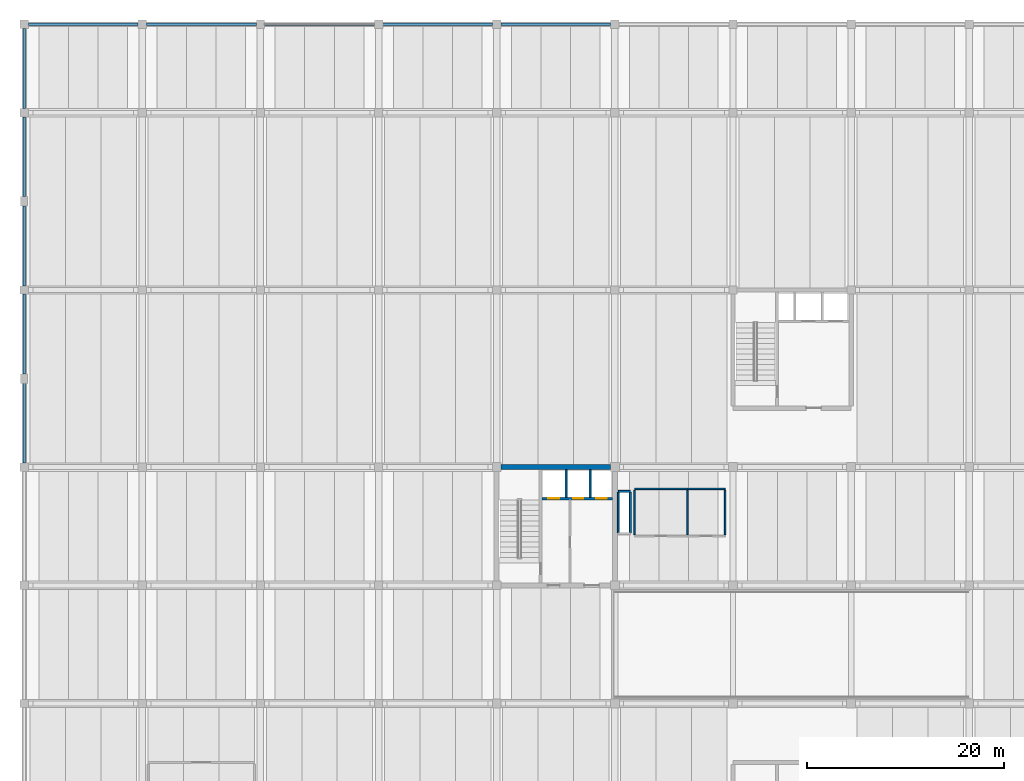
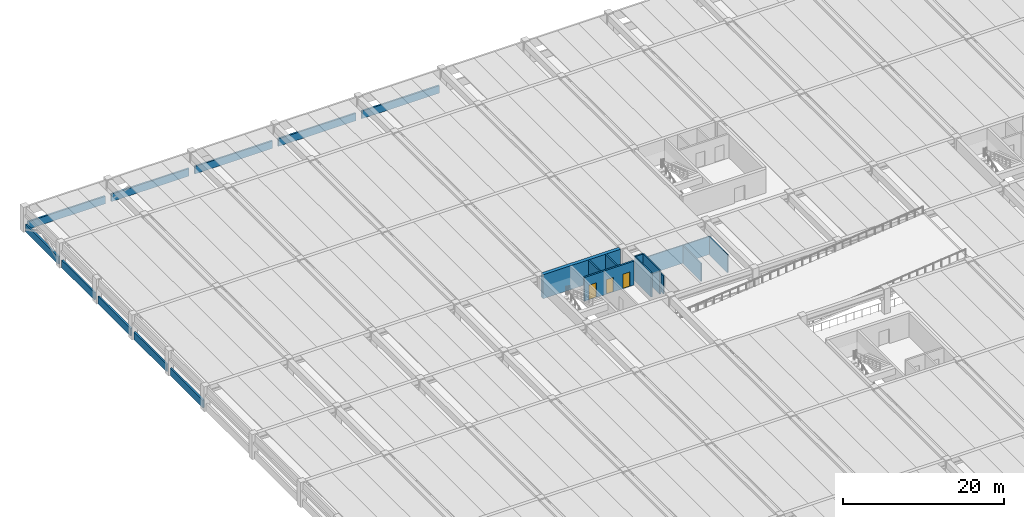
# One storey, part 10 of 19: 22 walls, 3 doors, 3 openings.
"""IFC4 building model written with IfcOpenShell, lengths in metres."""

from ifc_helpers import new_model, si_unit, direction, frame, frame_2d, origin, place, context, subcontext, project, spatial, rectangle, extrude, material, layer, layer_set, type_object, element, fill, save


model = new_model("IFC4")

# Units and contexts
model_context = context("Model", 3, precision=1e-05, world=origin(), true_north=direction((0.0, 1.0)))
body_context = subcontext(model_context, "Body", "Model", "MODEL_VIEW")
ifc_project = project(units=[si_unit("LENGTHUNIT", "METRE"), si_unit("AREAUNIT", "SQUARE_METRE"), si_unit("VOLUMEUNIT", "CUBIC_METRE"), si_unit("PLANEANGLEUNIT", "RADIAN"), si_unit("MASSUNIT", "GRAM", prefix="KILO")], contexts=[model_context])

# Site, building, storey
site_placement = place(None, origin())
site = spatial("IfcSite", under=ifc_project, at=site_placement, CompositionType="ELEMENT")
building_placement = place(site_placement, origin())
building = spatial("IfcBuilding", under=site, at=building_placement, Name="Girod Span Mobility Hub", CompositionType="ELEMENT")
storey_placement = place(building_placement, frame((0.0, 0.0, 9.60009765625)))
storey = spatial("IfcBuildingStorey", under=building, at=storey_placement, Name="L02", CompositionType="ELEMENT", Elevation=9.60009765625)

# Walls
ifc_material_1 = material(Name="Concrete C40/50", Category="concrete")
ifc_layer_1 = layer(ifc_material_1, 0.5)
ifc_layer_set_1 = layer_set([ifc_layer_1], Name="Concrete C40/50")
wall_type_1 = type_object("IfcWallType", Name="W-CW-500", PredefinedType="SHEAR", material=ifc_layer_set_1)
wall_1_placement = place(storey_placement, frame((48.447021484375, 69.0, 0.0), z_axis=(0.0, 0.0, 1.0), x_axis=(1.0, 0.0, 0.0)))
element("IfcWall", 1, at=wall_1_placement, inside=storey, type_object=wall_type_1, Name="Core C1 Shear Wall N L02", PredefinedType="SHEAR", context=body_context, shape_type="SweptSolid", body=[
    extrude(rectangle(XDim=11.10595703125, YDim=0.5, at=frame_2d((5.552978515625, 0.0))), origin(), (0.0, 0.0, 1.0), 3.637939453125),
])
ifc_material_2 = material(Name="Precast Architectural Concrete C40/50", Category="concrete")
ifc_layer_2 = layer(ifc_material_2, 0.239990234375)
ifc_layer_set_2 = layer_set([ifc_layer_2], Name="Precast Architectural Concrete C40/50")
wall_type_2 = type_object("IfcWallType", Name="W-PAR-240", PredefinedType="PARAPET", material=ifc_layer_set_2)
for number, where, z_axis, x_axis, name in (
    (2, (0.423095703125, 114.0, 0.0), (0.0, 0.0, 1.0), (1.0, 0.0, 0.0), "Precast Parking Barrier Parapet N-1 L02"),
    (3, (12.423095703125, 114.0, 0.0), (0.0, 0.0, 1.0), (1.0, 0.0, 0.0), "Precast Parking Barrier Parapet N-2 L02"),
    (4, (24.423095703125, 114.0, 0.0), (0.0, 0.0, 1.0), (1.0, 0.0, 0.0), "Precast Parking Barrier Parapet N-3 L02"),
    (5, (36.423095703125, 114.0, 0.0), (0.0, 0.0, 1.0), (1.0, 0.0, 0.0), "Precast Parking Barrier Parapet N-4 L02"),
    (6, (48.423095703125, 114.0, 0.0), (0.0, 0.0, 1.0), (1.0, 0.0, 0.0), "Precast Parking Barrier Parapet N-5 L02"),
):
    element("IfcWall", number, at=place(storey_placement, frame(where, z_axis=z_axis, x_axis=x_axis)), inside=storey, type_object=wall_type_2, Name=name, PredefinedType="PARAPET", context=body_context, shape_type="SweptSolid", body=[
        extrude(rectangle(XDim=11.15380859375, YDim=0.239990234375, at=frame_2d((5.576904296875, 0.0))), origin(), (0.0, 0.0, 1.0), 1.14990234375),
    ])
for number, where, z_axis, x_axis, name in (
    (7, (0.0, 69.423095703125, 0.0), (0.0, 0.0, 1.0), (0.0, 1.0, 0.0), "Precast Side Barrier Parapet W-F-1 L02"),
    (8, (0.0, 78.472900390625, 0.0), (0.0, 0.0, 1.0), (0.0, 1.0, 0.0), "Precast Side Barrier Parapet W-F-2 L02"),
    (9, (0.0, 87.423095703125, 0.0), (0.0, 0.0, 1.0), (0.0, 1.0, 0.0), "Precast Side Barrier Parapet W-G-1 L02"),
    (10, (0.0, 96.472900390625, 0.0), (0.0, 0.0, 1.0), (0.0, 1.0, 0.0), "Precast Side Barrier Parapet W-G-2 L02"),
):
    element("IfcWall", number, at=place(storey_placement, frame(where, z_axis=z_axis, x_axis=x_axis)), inside=storey, type_object=wall_type_2, Name=name, PredefinedType="PARAPET", context=body_context, shape_type="SweptSolid", body=[
        extrude(rectangle(XDim=8.10400390625, YDim=0.239990234375, at=frame_2d((4.052001953125, 0.0))), origin(), (0.0, 0.0, 1.0), 1.14990234375),
    ])
wall_2_placement = place(storey_placement, frame((0.0, 105.423095703125, 0.0), z_axis=(0.0, 0.0, 1.0), x_axis=(0.0, 1.0, 0.0)))
element("IfcWall", 11, at=wall_2_placement, inside=storey, type_object=wall_type_2, Name="Precast Side Barrier Parapet W-H-1 L02", PredefinedType="PARAPET", context=body_context, shape_type="SweptSolid", body=[
    extrude(rectangle(XDim=8.15380859375, YDim=0.239990234375, at=frame_2d((4.076904296875, 0.0))), origin(), (0.0, 0.0, 1.0), 1.14990234375),
])
ifc_material_3 = material(Name="Fire-Rated Gypsum Board on Metal Studs", Category="gypsum")
ifc_layer_3 = layer(ifc_material_3, 0.155029296875)
ifc_layer_set_3 = layer_set([ifc_layer_3], Name="Fire-Rated Gypsum Board on Metal Studs")
wall_type_3 = type_object("IfcWallType", Name="W-PLB-155", PredefinedType="PLUMBINGWALL", material=ifc_layer_set_3)
wall_3_placement = place(storey_placement, frame((62.0, 66.800048828125, 0.0), z_axis=(0.0, 0.0, 1.0), x_axis=(1.0, 0.0, 0.0)))
element("IfcWall", 12, at=wall_3_placement, inside=storey, type_object=wall_type_3, Name="Restroom L02 Partition N", PredefinedType="PLUMBINGWALL", context=body_context, shape_type="SweptSolid", body=[
    extrude(rectangle(XDim=5.39990234375, YDim=0.155029296875, at=frame_2d((2.699951171875, 0.0))), origin(), (0.0, 0.0, 1.0), 2.75),
])
for number, where, z_axis, x_axis, name in (
    (13, (62.0, 62.159912109375, 0.0), (0.0, 0.0, 1.0), (0.0, 1.0, 0.0), "Restroom L02 Partition W"),
    (14, (67.39990234375, 62.159912109375, 0.0), (0.0, 0.0, 1.0), (0.0, 1.0, 0.0), "Restroom L02 Partition E"),
):
    element("IfcWall", number, at=place(storey_placement, frame(where, z_axis=z_axis, x_axis=x_axis)), inside=storey, type_object=wall_type_3, Name=name, PredefinedType="PLUMBINGWALL", context=body_context, shape_type="SweptSolid", body=[
        extrude(rectangle(XDim=4.47998046875, YDim=0.155029296875, at=frame_2d((2.239990234375, 0.0))), origin(), (0.0, 0.0, 1.0), 2.75),
    ])
wall_4_placement = place(storey_placement, frame((67.39990234375, 66.800048828125, 0.0), z_axis=(0.0, 0.0, 1.0), x_axis=(1.0, 0.0, 0.0)))
element("IfcWall", 15, at=wall_4_placement, inside=storey, type_object=wall_type_3, Name="Accessible WC L02 Partition N", PredefinedType="PLUMBINGWALL", context=body_context, shape_type="SweptSolid", body=[
    extrude(rectangle(XDim=3.800048828125, YDim=0.155029296875, at=frame_2d((1.89990234375, 0.0))), origin(), (0.0, 0.0, 1.0), 2.75),
])
wall_5_placement = place(storey_placement, frame((71.199951171875, 62.159912109375, 0.0), z_axis=(0.0, 0.0, 1.0), x_axis=(0.0, 1.0, 0.0)))
element("IfcWall", 16, at=wall_5_placement, inside=storey, type_object=wall_type_3, Name="Accessible WC L02 Partition E", PredefinedType="PLUMBINGWALL", context=body_context, shape_type="SweptSolid", body=[
    extrude(rectangle(XDim=4.47998046875, YDim=0.155029296875, at=frame_2d((2.239990234375, 0.0))), origin(), (0.0, 0.0, 1.0), 2.75),
])
ifc_material_4 = material(Name="Concrete C40/50", Category="concrete")
ifc_layer_4 = layer(ifc_material_4, 0.199951171875)
ifc_layer_set_4 = layer_set([ifc_layer_4], Name="Concrete C40/50")
wall_type_4 = type_object("IfcWallType", Name="W-SH-200", PredefinedType="SOLIDWALL", material=ifc_layer_set_4)
wall_6_placement = place(storey_placement, frame((60.346923828125, 66.550048828125, 0.0), z_axis=(0.0, 0.0, 1.0), x_axis=(1.0, 0.0, 0.0)))
element("IfcWall", 17, at=wall_6_placement, inside=storey, type_object=wall_type_4, Name="Sanitary Wet Riser Shaft Wall N L02", PredefinedType="SOLIDWALL", context=body_context, shape_type="SweptSolid", body=[
    extrude(rectangle(XDim=1.233154296875, YDim=0.199951171875, at=frame_2d((0.61669921875, 0.0))), origin(), (0.0, 0.0, 1.0), 3.637939453125),
])
for number, where, z_axis, x_axis, name in (
    (18, (60.346923828125, 62.330078125, 0.0), (0.0, 0.0, 1.0), (0.0, 1.0, 0.0), "Sanitary Wet Riser Shaft Wall W L02"),
    (19, (61.580078125, 62.330078125, 0.0), (0.0, 0.0, 1.0), (0.0, 1.0, 0.0), "Sanitary Wet Riser Shaft Wall E L02"),
):
    element("IfcWall", number, at=place(storey_placement, frame(where, z_axis=z_axis, x_axis=x_axis)), inside=storey, type_object=wall_type_4, Name=name, PredefinedType="SOLIDWALL", context=body_context, shape_type="SweptSolid", body=[
        extrude(rectangle(XDim=4.139892578125, YDim=0.199951171875, at=frame_2d((2.06982421875, 0.0))), origin(), (0.0, 0.0, 1.0), 3.637939453125),
    ])
for number, where, z_axis, x_axis, name in (
    (20, (55.050048828125, 65.919921875, 0.0), (0.0, 0.0, 1.0), (0.0, 1.0, 0.0), "Core C1 Shaft Divider 1 L02"),
    (21, (57.47998046875, 65.919921875, 0.0), (0.0, 0.0, 1.0), (0.0, 1.0, 0.0), "Core C1 Shaft Divider 2 L02"),
):
    element("IfcWall", number, at=place(storey_placement, frame(where, z_axis=z_axis, x_axis=x_axis)), inside=storey, type_object=wall_type_4, Name=name, PredefinedType="SOLIDWALL", context=body_context, shape_type="SweptSolid", body=[
        extrude(rectangle(XDim=2.830078125, YDim=0.199951171875, at=frame_2d((1.4150390625, 0.0))), origin(), (0.0, 0.0, 1.0), 3.6279296875),
    ])

# Wall, openings, doors
ifc_material_5 = material(Name="Concrete C40/50", Category="concrete")
ifc_layer_5 = layer(ifc_material_5, 0.25)
ifc_layer_set_5 = layer_set([ifc_layer_5], Name="Concrete C40/50")
wall_type_5 = type_object("IfcWallType", Name="W-SH-250", PredefinedType="SOLIDWALL", material=ifc_layer_set_5)
wall_7_placement = place(storey_placement, frame((52.596923828125, 65.800048828125, 0.0), z_axis=(0.0, 0.0, 1.0), x_axis=(1.0, 0.0, 0.0)))
wall_7 = element("IfcWall", 22, at=wall_7_placement, inside=storey, type_object=wall_type_5, Name="Core C1 Hoistway Front Wall L02", PredefinedType="SOLIDWALL", context=body_context, shape_type="SweptSolid", body=[
    extrude(rectangle(XDim=7.156005859375, YDim=0.25, at=frame_2d((3.578125, 0.0))), origin(), (0.0, 0.0, 1.0), 3.637939453125),
])
opening_1_placement = place(wall_7_placement, frame((0.653076171875, 0.0, 0.0)))
opening_1 = element("IfcOpeningElement", 23, at=opening_1_placement, cuts=wall_7, Name="Opening LD-FL-1-L02", PredefinedType="OPENING", context=body_context, shape_type="SweptSolid", body=[
    extrude(rectangle(XDim=1.10009765625, YDim=2.239990234375, at=frame_2d((0.550048828125, 1.1201171875))), frame((0.0, 0.139892578125, 0.0), z_axis=(0.0, -1.0, 0.0), x_axis=(1.0, 0.0, 0.0)), (0.0, 0.0, 1.0), 0.280029296875),
])
opening_2_placement = place(wall_7_placement, frame((3.153076171875, 0.0, 0.0)))
opening_2 = element("IfcOpeningElement", 24, at=opening_2_placement, cuts=wall_7, Name="Opening LD-LP-1-L02", PredefinedType="OPENING", context=body_context, shape_type="SweptSolid", body=[
    extrude(rectangle(XDim=1.050048828125, YDim=2.199951171875, at=frame_2d((0.52490234375, 1.10009765625))), frame((0.0, 0.139892578125, 0.0), z_axis=(0.0, -1.0, 0.0), x_axis=(1.0, 0.0, 0.0)), (0.0, 0.0, 1.0), 0.280029296875),
])
opening_3_placement = place(wall_7_placement, frame((5.528076171875, 0.0, 0.0)))
opening_3 = element("IfcOpeningElement", 25, at=opening_3_placement, cuts=wall_7, Name="Opening LD-LP-2-L02", PredefinedType="OPENING", context=body_context, shape_type="SweptSolid", body=[
    extrude(rectangle(XDim=1.050048828125, YDim=2.199951171875, at=frame_2d((0.52490234375, 1.10009765625))), frame((0.0, 0.139892578125, 0.0), z_axis=(0.0, -1.0, 0.0), x_axis=(1.0, 0.0, 0.0)), (0.0, 0.0, 1.0), 0.280029296875),
])
ifc_material_6 = material(Name="Brushed Stainless Steel Grade 304", Category="steel")
door_type_1 = type_object("IfcDoorType", Name="LD-FL-110", OperationType="SLIDING_TO_LEFT", PredefinedType="USERDEFINED", material=ifc_material_6)
door_1_placement = place(opening_1_placement, origin())
door_1 = element("IfcDoor", 26, at=door_1_placement, inside=storey, type_object=door_type_1, Name="Lift FL-1 Sliding Landing Door L02", ObjectType="LANDING DOOR", OperationType="SLIDING_TO_LEFT", OverallHeight=2.239990234375, OverallWidth=1.10009765625, PredefinedType="USERDEFINED", context=body_context, shape_type="SweptSolid", body=[
    extrude(rectangle(XDim=1.10009765625, YDim=2.239990234375, at=frame_2d((0.550048828125, 1.1201171875))), frame((0.0, 0.02490234375, 0.0), z_axis=(0.0, -1.0, 0.0), x_axis=(1.0, 0.0, 0.0)), (0.0, 0.0, 1.0), 0.050048828125),
])
fill(opening_1, door_1)
ifc_material_7 = material(Name="Brushed Stainless Steel Grade 304", Category="steel")
door_type_2 = type_object("IfcDoorType", Name="LD-LP-105", OperationType="SLIDING_TO_LEFT", PredefinedType="USERDEFINED", material=ifc_material_7)
door_2_placement = place(opening_2_placement, origin())
door_2 = element("IfcDoor", 27, at=door_2_placement, inside=storey, type_object=door_type_2, Name="Lift LP-1 Sliding Landing Door L02", ObjectType="LANDING DOOR", OperationType="SLIDING_TO_LEFT", OverallHeight=2.199951171875, OverallWidth=1.050048828125, PredefinedType="USERDEFINED", context=body_context, shape_type="SweptSolid", body=[
    extrude(rectangle(XDim=1.050048828125, YDim=2.199951171875, at=frame_2d((0.52490234375, 1.10009765625))), frame((0.0, 0.02490234375, 0.0), z_axis=(0.0, -1.0, 0.0), x_axis=(1.0, 0.0, 0.0)), (0.0, 0.0, 1.0), 0.050048828125),
])
fill(opening_2, door_2)
door_3_placement = place(opening_3_placement, origin())
door_3 = element("IfcDoor", 28, at=door_3_placement, inside=storey, type_object=door_type_2, Name="Lift LP-2 Sliding Landing Door L02", ObjectType="LANDING DOOR", OperationType="SLIDING_TO_LEFT", OverallHeight=2.199951171875, OverallWidth=1.050048828125, PredefinedType="USERDEFINED", context=body_context, shape_type="SweptSolid", body=[
    extrude(rectangle(XDim=1.050048828125, YDim=2.199951171875, at=frame_2d((0.52490234375, 1.10009765625))), frame((0.0, 0.02490234375, 0.0), z_axis=(0.0, -1.0, 0.0), x_axis=(1.0, 0.0, 0.0)), (0.0, 0.0, 1.0), 0.050048828125),
])
fill(opening_3, door_3)

save(model, "model.ifc")
